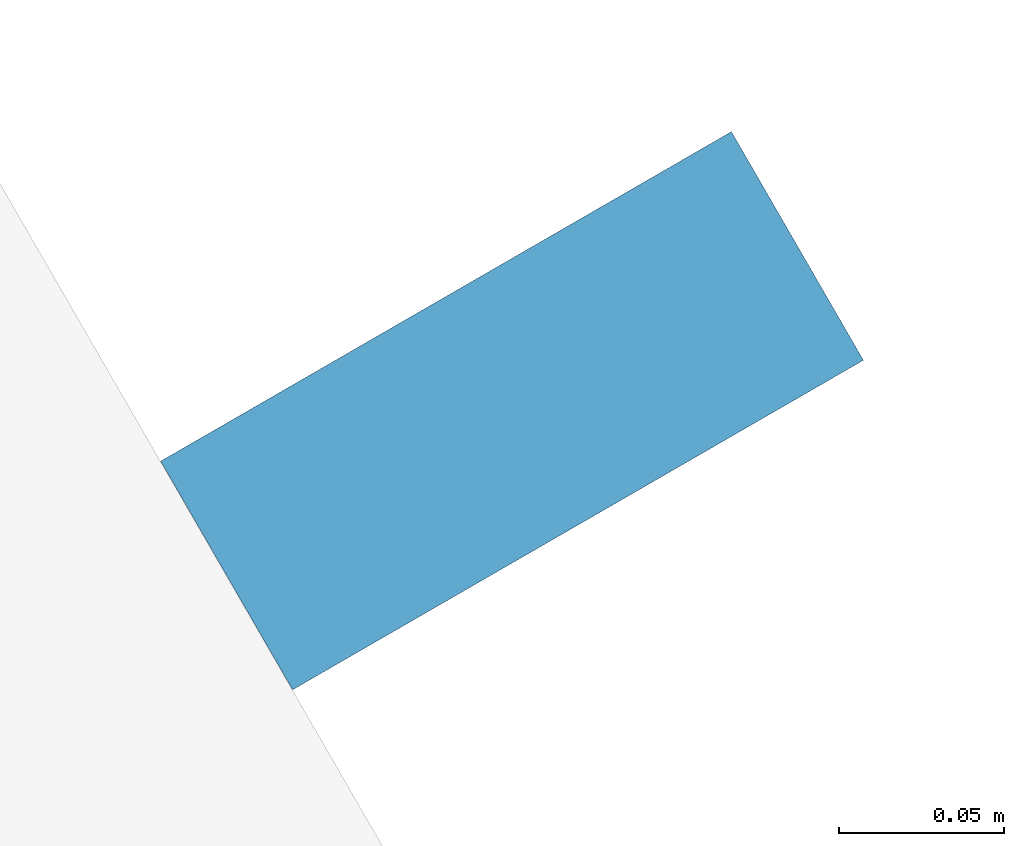
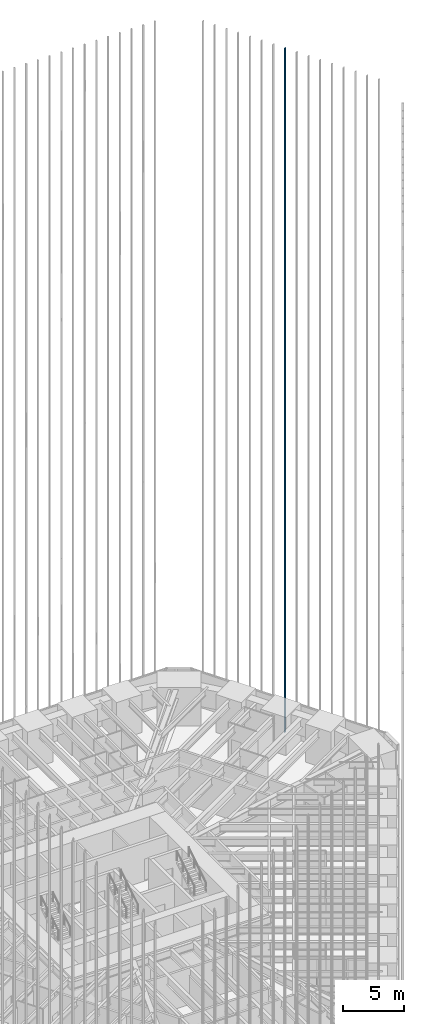
# One storey, part 211 of 256: 1 member, 1 element without a shape of its own.
"""IFC4 building model written with IfcOpenShell, lengths in metres."""

from ifc_helpers import new_model, si_unit, direction, frame, origin, origin_2d, place, context, subcontext, project, spatial, rectangle, extrude, material, material_profile, profile_set, type_object, element, aggregate, save


model = new_model("IFC4")

# Units and contexts
model_context = context("Model", 3, precision=1e-05, world=origin(), true_north=direction((0.0, 1.0)))
body_context = subcontext(model_context, "Body", "Model", "MODEL_VIEW")
ifc_project = project(units=[si_unit("LENGTHUNIT", "METRE"), si_unit("AREAUNIT", "SQUARE_METRE"), si_unit("VOLUMEUNIT", "CUBIC_METRE"), si_unit("PLANEANGLEUNIT", "RADIAN"), si_unit("MASSUNIT", "GRAM", prefix="KILO")], contexts=[model_context])

# Site, building, storey
site_placement = place(None, origin())
site = spatial("IfcSite", under=ifc_project, at=site_placement, CompositionType="ELEMENT")
building_placement = place(site_placement, origin())
building = spatial("IfcBuilding", under=site, at=building_placement, Name="Sandreach Pilgrim Tower", CompositionType="ELEMENT")
storey_placement = place(building_placement, frame((0.0, 0.0, 23.0)))
storey = spatial("IfcBuildingStorey", under=building, at=storey_placement, Name="L04", CompositionType="ELEMENT", Elevation=23.0)

# Curtain wall, member
ifc_material_1 = material(Name="Aluminium framed curtain wall", Category="aluminium")
curtain_wall_type = type_object("IfcCurtainWallType", Name="Hostel tower curtain wall", PredefinedType="NOTDEFINED", material=ifc_material_1)
curtain_wall_placement = place(storey_placement, origin())
curtain_wall = element("IfcCurtainWall", 1, at=curtain_wall_placement, inside=storey, type_object=curtain_wall_type, Name="CW-1 L04 NE", PredefinedType="NOTDEFINED")
ifc_material_2 = material(Name="Extruded terracotta on aluminium core", Category="masonry")
ifc_material_profile = material_profile(ifc_material_2, rectangle(XDim=0.080078125, YDim=0.199951171875, at=origin_2d()), Name="TBE 80X200")
ifc_profile_set = profile_set([ifc_material_profile], Name="Extruded terracotta on aluminium core")
member_type = type_object("IfcMemberType", Name="Terracotta baguette east", PredefinedType="USERDEFINED", material=ifc_profile_set)
member_placement = place(storey_placement, frame((26.06005859375, 15.6845703125, 0.0), z_axis=(0.0, 0.0, 1.0), x_axis=(0.5, -0.866025403784, 0.0)))
member = element("IfcMember", 2, at=member_placement, type_object=member_type, Name="Baguette Z1 NE08", ObjectType="BAGUETTE", PredefinedType="USERDEFINED", context=body_context, shape_type="SweptSolid", body=[
    extrude(rectangle(XDim=0.080078125, YDim=0.199951171875, at=origin_2d()), origin(), (0.0, 0.0, 1.0), 68.239990234375),
])
aggregate(curtain_wall, [member])

save(model, "model.ifc")
